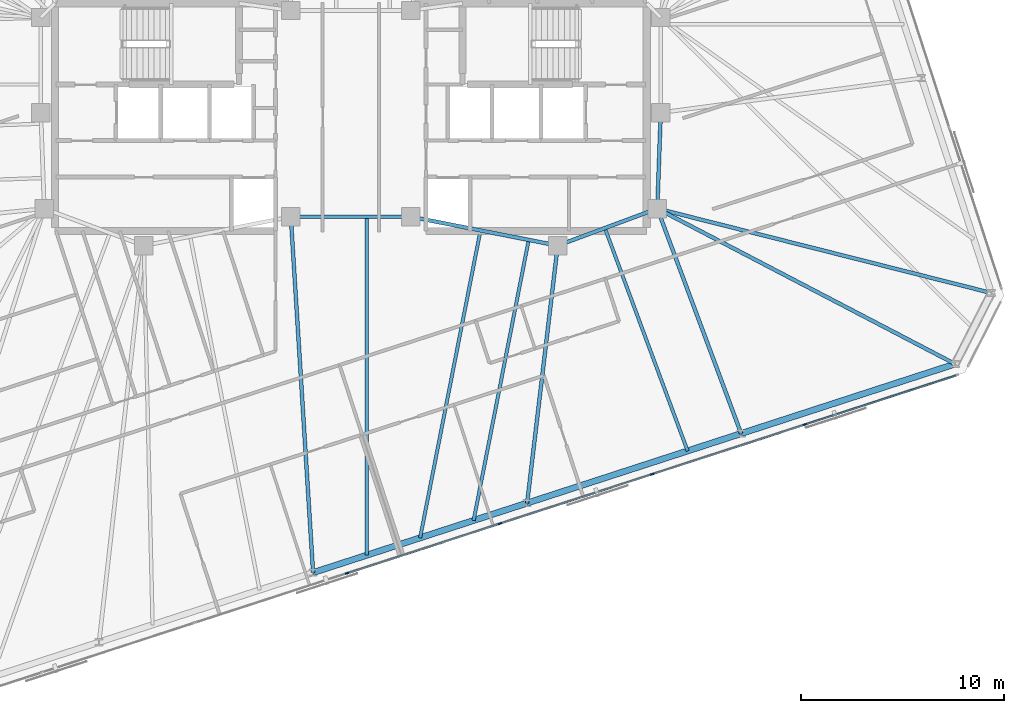
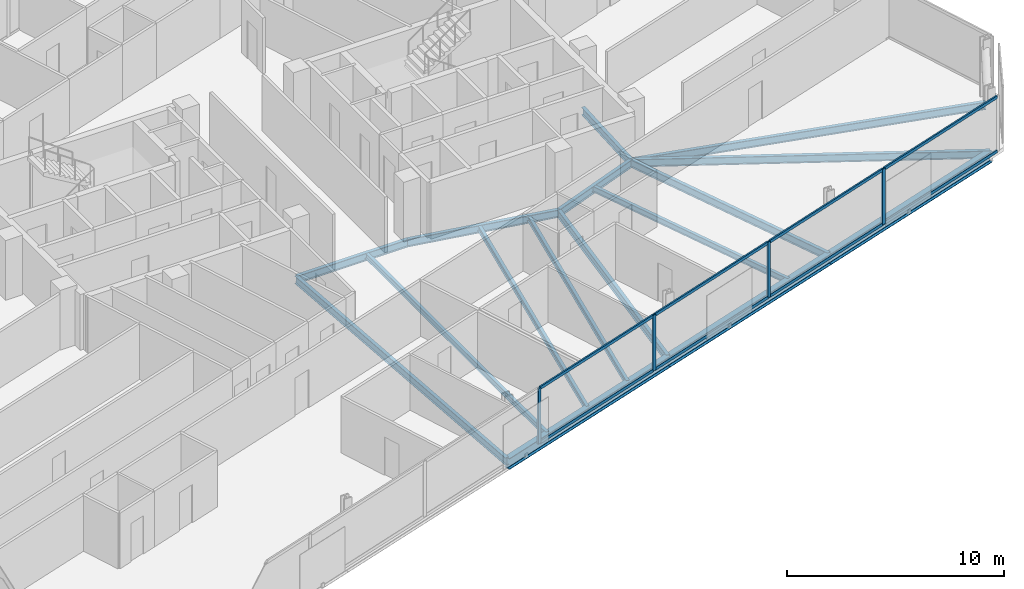
# One storey, part 7 of 20: 16 beams, 12 members, 1 element without a shape of its own.
"""IFC4 building model written with IfcOpenShell, lengths in metres."""

import ifcopenshell
import ifcopenshell.guid

model = None  # the IFC model being written
_history = None  # IfcOwnerHistory: only IFC2X3 demands one
_inside = {}  # id of a spatial element -> (the spatial element, [elements in it])
_under = {}  # id of a project, library or spatial element -> (it, [spatial elements below it])
_declared = {}  # id of a project -> (the project, [libraries it declares])
_typed = {}  # id of a type object -> (the type object, [elements of that type])
_made_of = {}  # id of a material, layer set ... -> (it, [elements and type objects made of it])


def new_model(schema):
    """Start an empty IFC model of exactly this schema.

    Asked for "IFC4X3", IfcOpenShell would pick the latest addendum, in which some entities
    have other attributes; the version numbers below select the first issue.
    IFC2X3 requires an IfcOwnerHistory on every rooted entity: one is made here for all.
    """
    global model, _history
    if schema == "IFC4X3":
        model = ifcopenshell.file(schema_version=(4, 3, 0, 0))
    else:
        model = ifcopenshell.file(schema=schema)
    _inside.clear()
    _under.clear()
    _declared.clear()
    _typed.clear()
    _made_of.clear()
    _history = None
    if model.schema == "IFC2X3":
        org = make("IfcOrganization", Name="unknown")
        user = make(
            "IfcPersonAndOrganization",
            ThePerson=make("IfcPerson", FamilyName="unknown"),
            TheOrganization=org,
        )
        app = make(
            "IfcApplication",
            ApplicationDeveloper=org,
            Version="unknown",
            ApplicationFullName="unknown",
            ApplicationIdentifier="unknown",
        )
        _history = make(
            "IfcOwnerHistory",
            OwningUser=user,
            OwningApplication=app,
            ChangeAction="ADDED",
            CreationDate=0,
        )
    return model


def make(cls, **values):
    """One entity of the class cls with the attributes given. An attribute that is None is left unset."""
    return model.create_entity(
        cls, **{name: value for name, value in values.items() if value is not None}
    )


def rooted(cls, **values):
    """An entity with a GlobalId (a new one), such as an element, a storey or a relation."""
    return make(cls, GlobalId=ifcopenshell.guid.new(), OwnerHistory=_history, **values)


def si_unit(unit_type, name, prefix=None):
    """IfcSIUnit, for example si_unit("LENGTHUNIT", "METRE", prefix="MILLI")."""
    return make("IfcSIUnit", UnitType=unit_type, Prefix=prefix, Name=name)


def assignment(units):
    """IfcUnitAssignment: the units of a project."""
    return None if units is None else make("IfcUnitAssignment", Units=units)


def point(xyz):
    """IfcCartesianPoint."""
    return None if xyz is None else make("IfcCartesianPoint", Coordinates=xyz)


def direction(xyz):
    """IfcDirection."""
    return None if xyz is None else make("IfcDirection", DirectionRatios=xyz)


def frame(location, z_axis=None, x_axis=None):
    """IfcAxis2Placement3D, a coordinate frame: its origin and axes. An axis left out is left unset."""
    return make(
        "IfcAxis2Placement3D",
        Location=point(location),
        Axis=direction(z_axis),
        RefDirection=direction(x_axis),
    )


def frame_2d(location, x_axis=None):
    """IfcAxis2Placement2D, a coordinate frame in the plane: its origin and x axis."""
    return make(
        "IfcAxis2Placement2D", Location=point(location), RefDirection=direction(x_axis)
    )


def origin():
    """The frame at (0, 0, 0) with its axes left unset."""
    return frame((0.0, 0.0, 0.0))


def origin_2d():
    """The frame at (0, 0) in the plane with its x axis left unset."""
    return frame_2d((0.0, 0.0))


def place(relative_to, where):
    """IfcLocalPlacement: puts the frame where relative to a parent placement (None: the world)."""
    return make(
        "IfcLocalPlacement", PlacementRelTo=relative_to, RelativePlacement=where
    )


def context(
    kind, dimensions, precision=None, world=None, true_north=None, identifier=None
):
    """IfcGeometricRepresentationContext, for example the 3D "Model" context."""
    return make(
        "IfcGeometricRepresentationContext",
        ContextIdentifier=identifier,
        ContextType=kind,
        CoordinateSpaceDimension=dimensions,
        Precision=precision,
        WorldCoordinateSystem=world,
        TrueNorth=true_north,
    )


def subcontext(parent, identifier, kind, view, scale=None):
    """IfcGeometricRepresentationSubContext, for example "Body" below "Model"."""
    return make(
        "IfcGeometricRepresentationSubContext",
        ContextIdentifier=identifier,
        ContextType=kind,
        ParentContext=parent,
        TargetScale=scale,
        TargetView=view,
    )


def project(units=None, contexts=None):
    """IfcProject with its units and contexts."""
    return rooted(
        "IfcProject",
        Name="project",
        RepresentationContexts=contexts,
        UnitsInContext=assignment(units),
    )


def spatial(cls, under=None, at=None, **own):
    """A site, building, storey or space (cls), placed at a placement, below another one or the project."""
    s = rooted(cls, ObjectPlacement=at, **own)
    if under is not None:
        _under.setdefault(under.id(), (under, []))[1].append(s)
    return s


def profile(cls, at=None, kind="AREA", **sizes):
    """A parametric profile (cls). Its sizes go by their IFC names, for example OverallWidth=200.0."""
    return make(cls, ProfileType=kind, Position=at, **sizes)


def rectangle(**sizes):
    """IfcRectangleProfileDef."""
    return profile("IfcRectangleProfileDef", **sizes)


def i_section(**sizes):
    """IfcIShapeProfileDef."""
    return profile("IfcIShapeProfileDef", **sizes)


def extrude(swept, where, along, depth):
    """IfcExtrudedAreaSolid: the profile swept, set in the frame where, extruded along a direction by depth."""
    return make(
        "IfcExtrudedAreaSolid",
        SweptArea=swept,
        Position=where,
        ExtrudedDirection=direction(along),
        Depth=depth,
    )


def shape(context_of_items, identifier, shape_type, items):
    """IfcShapeRepresentation: the items that make up one representation, for example the "Body"."""
    return make(
        "IfcShapeRepresentation",
        ContextOfItems=context_of_items,
        RepresentationIdentifier=identifier,
        RepresentationType=shape_type,
        Items=items,
    )


def material(Name=None, Category=None):
    """IfcMaterial."""
    return make("IfcMaterial", Name=Name, Category=Category)


def material_profile(
    of_material, cross_section, Name=None, Category=None, Priority=None
):
    """IfcMaterialProfile: a cross section and its material."""
    return make(
        "IfcMaterialProfile",
        Name=Name,
        Material=of_material,
        Profile=cross_section,
        Priority=Priority,
        Category=Category,
    )


def profile_set(profiles, Name=None, composite=None):
    """IfcMaterialProfileSet."""
    return make(
        "IfcMaterialProfileSet",
        Name=Name,
        MaterialProfiles=profiles,
        CompositeProfile=composite,
    )


def made_of(thing, what):
    """Note that an element or type object is made of a material, layer set ...; save() writes the relation."""
    if what is not None:
        _made_of.setdefault(what.id(), (what, []))[1].append(thing)
    return thing


def type_object(cls, material=None, **own):
    """A type object (cls), such as IfcWallType, which elements share."""
    return made_of(rooted(cls, **own), material)


def element(
    cls,
    number,
    at=None,
    inside=None,
    cuts=None,
    type_object=None,
    material=None,
    context=None,
    identifier="Body",
    shape_type=None,
    held_by="IfcProductDefinitionShape",
    body=None,
    shapes=None,
    **own,
):
    """One element of the class cls, such as IfcWall. Its Tag is "e" and its number.

    at: its placement. inside: the storey or other place that contains it. cuts: it is an
    opening in that element (IfcRelVoidsElement). A single representation is given by context,
    identifier, shape_type and body (its items); several are given by shapes. held_by: the class
    of the entity that holds the representations. save() writes the other relations.
    """
    e = rooted(cls, Tag="e%d" % number, ObjectPlacement=at, **own)
    if body is not None:
        shapes = [shape(context, identifier, shape_type, body)]
    if shapes is not None:
        e.Representation = make(held_by, Representations=shapes)
    if inside is not None:
        _inside.setdefault(inside.id(), (inside, []))[1].append(e)
    if cuts is not None:
        rooted(
            "IfcRelVoidsElement", RelatingBuildingElement=cuts, RelatedOpeningElement=e
        )
    if type_object is not None:
        _typed.setdefault(type_object.id(), (type_object, []))[1].append(e)
    return made_of(e, material)


def aggregate(whole, parts):
    """IfcRelAggregates: a whole, such as a stair, and the parts it consists of."""
    return rooted("IfcRelAggregates", RelatingObject=whole, RelatedObjects=parts)


def save(model, path):
    """Write the relations noted so far, then the file.

    IfcRelAggregates (storeys below a building ...), IfcRelContainedInSpatialStructure (elements
    in a storey), IfcRelDefinesByType, IfcRelAssociatesMaterial and IfcRelDeclares: one each for
    every whole, place, type object, material and project.
    """
    for whole, parts in _under.values():
        aggregate(whole, parts)
    for where, things in _inside.values():
        rooted(
            "IfcRelContainedInSpatialStructure",
            RelatedElements=things,
            RelatingStructure=where,
        )
    for kind, things in _typed.values():
        rooted("IfcRelDefinesByType", RelatedObjects=things, RelatingType=kind)
    for what, things in _made_of.values():
        rooted("IfcRelAssociatesMaterial", RelatedObjects=things, RelatingMaterial=what)
    for by, libraries in _declared.values():
        rooted("IfcRelDeclares", RelatingContext=by, RelatedDefinitions=libraries)
    model.write(path)


model = new_model("IFC4")

# Units and contexts
model_context = context("Model", 3, precision=1e-05, world=origin(), true_north=direction((0.0, 1.0)))
body_context = subcontext(model_context, "Body", "Model", "MODEL_VIEW")
ifc_project = project(units=[si_unit("LENGTHUNIT", "METRE"), si_unit("AREAUNIT", "SQUARE_METRE"), si_unit("VOLUMEUNIT", "CUBIC_METRE"), si_unit("PLANEANGLEUNIT", "RADIAN"), si_unit("MASSUNIT", "GRAM", prefix="KILO")], contexts=[model_context])

# Site, building, storey
site_placement = place(None, origin())
site = spatial("IfcSite", under=ifc_project, at=site_placement, CompositionType="ELEMENT")
building_placement = place(site_placement, origin())
building = spatial("IfcBuilding", under=site, at=building_placement, Name="Menara Jurai Vektor", CompositionType="ELEMENT")
storey_placement = place(building_placement, frame((0.0, 0.0, 224.300048828125)))
storey = spatial("IfcBuildingStorey", under=building, at=storey_placement, Name="L59", CompositionType="ELEMENT", Elevation=224.300048828125)

# Curtain wall, members
ifc_material_1 = material(Name="Anodised Pale Aluminium & Low-E Double Glazing", Category="aluminium")
curtain_wall_type = type_object("IfcCurtainWallType", Name="CW-BLK4", PredefinedType="NOTDEFINED", material=ifc_material_1)
curtain_wall_placement = place(storey_placement, origin())
curtain_wall = element("IfcCurtainWall", 1, at=curtain_wall_placement, inside=storey, type_object=curtain_wall_type, Name="Unitised Curtain Wall L59 F01", PredefinedType="NOTDEFINED")
ifc_material_2 = material(Name="Anodised Pale Aluminium Mullion", Category="aluminium")
ifc_material_profile_1 = material_profile(ifc_material_2, rectangle(XDim=0.080078125, YDim=0.18994140625, at=origin_2d()), Name="ALU MUL 80x190")
ifc_profile_set_1 = profile_set([ifc_material_profile_1], Name="Anodised Pale Aluminium Mullion")
member_type_1 = type_object("IfcMemberType", Name="CW-BLK4-MUL", PredefinedType="MULLION", material=ifc_profile_set_1)
member_1_placement = place(storey_placement, frame((-0.17236328125, -22.4404296875, 0.0), z_axis=(0.0, 0.0, 1.0), x_axis=(-0.309017344167, 0.951056402641, 0.0)))
member_1 = element("IfcMember", 2, at=member_1_placement, type_object=member_type_1, Name="CW-04 mullion 4", PredefinedType="MULLION", context=body_context, shape_type="SweptSolid", body=[
    extrude(rectangle(XDim=0.080078125, YDim=0.18994140625, at=origin_2d()), origin(), (0.0, 0.0, 1.0), 3.125),
])
member_2_placement = place(storey_placement, frame((7.3330078125, -20.001953125, 0.0), z_axis=(0.0, 0.0, 1.0), x_axis=(-0.309017344167, 0.951056402641, 0.0)))
member_2 = element("IfcMember", 3, at=member_2_placement, type_object=member_type_1, Name="CW-04 mullion 5", PredefinedType="MULLION", context=body_context, shape_type="SweptSolid", body=[
    extrude(rectangle(XDim=0.080078125, YDim=0.18994140625, at=origin_2d()), origin(), (0.0, 0.0, 1.0), 3.125),
])
member_3_placement = place(storey_placement, frame((14.838134765625, -17.563232421875, 0.0), z_axis=(0.0, 0.0, 1.0), x_axis=(-0.309017344167, 0.951056402641, 0.0)))
member_3 = element("IfcMember", 4, at=member_3_placement, type_object=member_type_1, Name="CW-04 mullion 6", PredefinedType="MULLION", context=body_context, shape_type="SweptSolid", body=[
    extrude(rectangle(XDim=0.080078125, YDim=0.18994140625, at=origin_2d()), origin(), (0.0, 0.0, 1.0), 3.125),
])
member_4_placement = place(storey_placement, frame((22.34326171875, -15.124755859375, 0.0), z_axis=(0.0, 0.0, 1.0), x_axis=(-0.309017344167, 0.951056402641, 0.0)))
member_4 = element("IfcMember", 5, at=member_4_placement, type_object=member_type_1, Name="CW-04 mullion 7", PredefinedType="MULLION", context=body_context, shape_type="SweptSolid", body=[
    extrude(rectangle(XDim=0.080078125, YDim=0.18994140625, at=origin_2d()), origin(), (0.0, 0.0, 1.0), 3.125),
])
ifc_material_3 = material(Name="Anodised Pale Aluminium Transom", Category="aluminium")
ifc_material_profile_2 = material_profile(ifc_material_3, rectangle(XDim=0.080078125, YDim=0.1650390625, at=origin_2d()), Name="ALU TRN 80x165")
ifc_profile_set_2 = profile_set([ifc_material_profile_2], Name="Anodised Pale Aluminium Transom")
member_type_2 = type_object("IfcMemberType", Name="CW-BLK4-TRN", PredefinedType="USERDEFINED", material=ifc_profile_set_2)
member_5_placement = place(storey_placement, frame((-0.13427734375, -22.427978515625, 0.0400390625), z_axis=(0.951059330237, 0.309008333817, 0.0), x_axis=(-0.309008333817, 0.951059330237, 0.0)))
member_5 = element("IfcMember", 6, at=member_5_placement, type_object=member_type_2, Name="CW-04 transom 4.1", ObjectType="TRANSOM", PredefinedType="USERDEFINED", context=body_context, shape_type="SweptSolid", body=[
    extrude(rectangle(XDim=0.080078125, YDim=0.1650390625, at=origin_2d()), origin(), (0.0, 0.0, 1.0), 7.8115234375),
])
member_6_placement = place(storey_placement, frame((-0.13427734375, -22.427978515625, 3.0849609375), z_axis=(0.951059330237, 0.309008333817, 0.0), x_axis=(-0.309008333817, 0.951059330237, 0.0)))
member_6 = element("IfcMember", 7, at=member_6_placement, type_object=member_type_2, Name="CW-04 transom 4.2", ObjectType="TRANSOM", PredefinedType="USERDEFINED", context=body_context, shape_type="SweptSolid", body=[
    extrude(rectangle(XDim=0.080078125, YDim=0.1650390625, at=origin_2d()), origin(), (0.0, 0.0, 1.0), 7.8115234375),
])
member_7_placement = place(storey_placement, frame((7.37109375, -19.989501953125, 0.0400390625), z_axis=(0.95105634578, 0.309017519167, 0.0), x_axis=(-0.309017519167, 0.95105634578, 0.0)))
member_7 = element("IfcMember", 8, at=member_7_placement, type_object=member_type_2, Name="CW-04 transom 5.1", ObjectType="TRANSOM", PredefinedType="USERDEFINED", context=body_context, shape_type="SweptSolid", body=[
    extrude(rectangle(XDim=0.080078125, YDim=0.1650390625, at=origin_2d()), origin(), (0.0, 0.0, 1.0), 7.811279296875),
])
member_8_placement = place(storey_placement, frame((7.37109375, -19.989501953125, 3.0849609375), z_axis=(0.95105634578, 0.309017519167, 0.0), x_axis=(-0.309017519167, 0.95105634578, 0.0)))
member_8 = element("IfcMember", 9, at=member_8_placement, type_object=member_type_2, Name="CW-04 transom 5.2", ObjectType="TRANSOM", PredefinedType="USERDEFINED", context=body_context, shape_type="SweptSolid", body=[
    extrude(rectangle(XDim=0.080078125, YDim=0.1650390625, at=origin_2d()), origin(), (0.0, 0.0, 1.0), 7.811279296875),
])
member_9_placement = place(storey_placement, frame((14.876220703125, -17.551025390625, 0.0400390625), z_axis=(0.95104715984, 0.309045789099, 0.0), x_axis=(-0.309045789099, 0.95104715984, 0.0)))
member_9 = element("IfcMember", 10, at=member_9_placement, type_object=member_type_2, Name="CW-04 transom 6.1", ObjectType="TRANSOM", PredefinedType="USERDEFINED", context=body_context, shape_type="SweptSolid", body=[
    extrude(rectangle(XDim=0.080078125, YDim=0.1650390625, at=origin_2d()), origin(), (0.0, 0.0, 1.0), 7.811279296875),
])
member_10_placement = place(storey_placement, frame((14.876220703125, -17.551025390625, 3.0849609375), z_axis=(0.95104715984, 0.309045789099, 0.0), x_axis=(-0.309045789099, 0.95104715984, 0.0)))
member_10 = element("IfcMember", 11, at=member_10_placement, type_object=member_type_2, Name="CW-04 transom 6.2", ObjectType="TRANSOM", PredefinedType="USERDEFINED", context=body_context, shape_type="SweptSolid", body=[
    extrude(rectangle(XDim=0.080078125, YDim=0.1650390625, at=origin_2d()), origin(), (0.0, 0.0, 1.0), 7.811279296875),
])
member_11_placement = place(storey_placement, frame((22.38134765625, -15.1123046875, 0.0400390625), z_axis=(0.951062230089, 0.308999408573, 0.0), x_axis=(-0.308999408573, 0.951062230089, 0.0)))
member_11 = element("IfcMember", 12, at=member_11_placement, type_object=member_type_2, Name="CW-04 transom 7.1", ObjectType="TRANSOM", PredefinedType="USERDEFINED", context=body_context, shape_type="SweptSolid", body=[
    extrude(rectangle(XDim=0.080078125, YDim=0.1650390625, at=origin_2d()), origin(), (0.0, 0.0, 1.0), 7.771484375),
])
member_12_placement = place(storey_placement, frame((22.38134765625, -15.1123046875, 3.0849609375), z_axis=(0.951062230089, 0.308999408573, 0.0), x_axis=(-0.308999408573, 0.951062230089, 0.0)))
member_12 = element("IfcMember", 13, at=member_12_placement, type_object=member_type_2, Name="CW-04 transom 7.2", ObjectType="TRANSOM", PredefinedType="USERDEFINED", context=body_context, shape_type="SweptSolid", body=[
    extrude(rectangle(XDim=0.080078125, YDim=0.1650390625, at=origin_2d()), origin(), (0.0, 0.0, 1.0), 7.771484375),
])
aggregate(curtain_wall, [member_1, member_2, member_3, member_4, member_5, member_6, member_7, member_8, member_9, member_10, member_11, member_12])

# Beams
ifc_material_4 = material(Name="Steel S355", Category="steel")
ifc_material_profile_3 = material_profile(ifc_material_4, i_section(OverallWidth=0.18505859375, OverallDepth=0.429931640625, WebThickness=0.010986328125, FlangeThickness=0.01806640625, at=origin_2d()), Name="PG 430x185x76")
ifc_profile_set_3 = profile_set([ifc_material_profile_3], Name="Steel S355")
beam_type_1 = type_object("IfcBeamType", Name="STR-BM-430", PredefinedType="BEAM", material=ifc_profile_set_3)
beam_1_placement = place(storey_placement, frame((15.080078125, -4.5, -0.43994140625), z_axis=(0.035977314146, 0.999352606874, 0.0), x_axis=(-0.999352606874, 0.035977314146, 0.0)))
element("IfcBeam", 14, at=beam_1_placement, inside=storey, type_object=beam_type_1, Name="Core Ring Header Girder L59-CHE-E2", PredefinedType="BEAM", context=body_context, shape_type="SweptSolid", body=[
    extrude(i_section(OverallWidth=0.18505859375, OverallDepth=0.429931640625, WebThickness=0.010986328125, FlangeThickness=0.01806640625, at=origin_2d()), origin(), (0.0, 0.0, 1.0), 4.72314453125),
])
beam_2_placement = place(storey_placement, frame((10.179931640625, -6.320068359375, -0.43994140625), z_axis=(0.937424400887, 0.348188874925, 0.0), x_axis=(-0.348188874925, 0.937424400887, 0.0)))
element("IfcBeam", 15, at=beam_2_placement, inside=storey, type_object=beam_type_1, Name="Core Ring Header Girder L59-CHE-S1", PredefinedType="BEAM", context=body_context, shape_type="SweptSolid", body=[
    extrude(i_section(OverallWidth=0.18505859375, OverallDepth=0.429931640625, WebThickness=0.010986328125, FlangeThickness=0.01806640625, at=origin_2d()), origin(), (0.0, 0.0, 1.0), 5.227294921875),
])
beam_3_placement = place(storey_placement, frame((2.949951171875, -4.89990234375, -0.43994140625), z_axis=(0.981249044334, -0.192744164614, 0.0), x_axis=(0.192744164614, 0.981249044334, 0.0)))
element("IfcBeam", 16, at=beam_3_placement, inside=storey, type_object=beam_type_1, Name="Core Ring Header Girder L59-CHE-S2", PredefinedType="BEAM", context=body_context, shape_type="SweptSolid", body=[
    extrude(i_section(OverallWidth=0.18505859375, OverallDepth=0.429931640625, WebThickness=0.010986328125, FlangeThickness=0.01806640625, at=origin_2d()), origin(), (0.0, 0.0, 1.0), 7.3681640625),
])
beam_4_placement = place(storey_placement, frame((-2.949951171875, -4.89990234375, -0.43994140625), z_axis=(1.0, 0.0, 0.0), x_axis=(0.0, 1.0, 0.0)))
element("IfcBeam", 17, at=beam_4_placement, inside=storey, type_object=beam_type_1, Name="Core Ring Header Girder L59-CC-1", PredefinedType="BEAM", context=body_context, shape_type="SweptSolid", body=[
    extrude(i_section(OverallWidth=0.18505859375, OverallDepth=0.429931640625, WebThickness=0.010986328125, FlangeThickness=0.01806640625, at=origin_2d()), origin(), (0.0, 0.0, 1.0), 5.89990234375),
])
beam_5_placement = place(storey_placement, frame((-1.854248046875, -22.40869140625, -0.43994140625), z_axis=(-0.062457995419, 0.998047593458, 0.0), x_axis=(-0.998047593458, -0.062457995419, 0.0)))
element("IfcBeam", 18, at=beam_5_placement, inside=storey, type_object=beam_type_1, Name="Radial Floor Girder L59-S3", PredefinedType="BEAM", context=body_context, shape_type="SweptSolid", body=[
    extrude(i_section(OverallWidth=0.18505859375, OverallDepth=0.429931640625, WebThickness=0.010986328125, FlangeThickness=0.01806640625, at=origin_2d()), origin(), (0.0, 0.0, 1.0), 17.54296875),
])
beam_6_placement = place(storey_placement, frame((8.675048828125, -18.987548828125, -0.43994140625), z_axis=(0.117969360513, 0.99301723549, 0.0), x_axis=(-0.99301723549, 0.117969360513, 0.0)))
element("IfcBeam", 19, at=beam_6_placement, inside=storey, type_object=beam_type_1, Name="Radial Floor Girder L59-S4", PredefinedType="BEAM", context=body_context, shape_type="SweptSolid", body=[
    extrude(i_section(OverallWidth=0.18505859375, OverallDepth=0.429931640625, WebThickness=0.010986328125, FlangeThickness=0.01806640625, at=origin_2d()), origin(), (0.0, 0.0, 1.0), 12.756591796875),
])
beam_7_placement = place(storey_placement, frame((19.204345703125, -15.56640625, -0.43994140625), z_axis=(-0.349219718154, 0.93704086808, 0.0), x_axis=(-0.93704086808, -0.349219718154, 0.0)))
element("IfcBeam", 20, at=beam_7_placement, inside=storey, type_object=beam_type_1, Name="Radial Floor Girder L59-S5", PredefinedType="BEAM", context=body_context, shape_type="SweptSolid", body=[
    extrude(i_section(OverallWidth=0.18505859375, OverallDepth=0.429931640625, WebThickness=0.010986328125, FlangeThickness=0.01806640625, at=origin_2d()), origin(), (0.0, 0.0, 1.0), 11.81005859375),
])
beam_8_placement = place(storey_placement, frame((29.7333984375, -12.14501953125, -0.43994140625), z_axis=(-0.886589587068, 0.462556919851, 0.0), x_axis=(-0.462556919851, -0.886589587068, 0.0)))
element("IfcBeam", 21, at=beam_8_placement, inside=storey, type_object=beam_type_1, Name="Radial Floor Girder L59-S6", PredefinedType="BEAM", context=body_context, shape_type="SweptSolid", body=[
    extrude(i_section(OverallWidth=0.18505859375, OverallDepth=0.429931640625, WebThickness=0.010986328125, FlangeThickness=0.01806640625, at=origin_2d()), origin(), (0.0, 0.0, 1.0), 16.52783203125),
])
beam_9_placement = place(storey_placement, frame((31.513427734375, -8.652099609375, -0.43994140625), z_axis=(-0.969531956771, 0.244964864418, 0.0), x_axis=(-0.244964864418, -0.969531956771, 0.0)))
element("IfcBeam", 22, at=beam_9_placement, inside=storey, type_object=beam_type_1, Name="Radial Floor Girder L59-E1", PredefinedType="BEAM", context=body_context, shape_type="SweptSolid", body=[
    extrude(i_section(OverallWidth=0.18505859375, OverallDepth=0.429931640625, WebThickness=0.010986328125, FlangeThickness=0.01806640625, at=origin_2d()), origin(), (0.0, 0.0, 1.0), 16.94970703125),
])
ifc_material_profile_4 = material_profile(ifc_material_4, i_section(OverallWidth=0.1650390625, OverallDepth=0.330078125, WebThickness=0.009033203125, FlangeThickness=0.013916015625, at=origin_2d()), Name="PG 330x165x46")
ifc_profile_set_4 = profile_set([ifc_material_profile_4], Name="Steel S355")
beam_type_2 = type_object("IfcBeamType", Name="STR-JS-330", PredefinedType="JOIST", material=ifc_profile_set_4)
beam_10_placement = place(storey_placement, frame((0.778076171875, -21.55322265625, -0.39013671875), z_axis=(0.0, 1.0, 0.0), x_axis=(-1.0, 0.0, 0.0)))
element("IfcBeam", 23, at=beam_10_placement, inside=storey, type_object=beam_type_2, Name="Radial Secondary Floor Joist L59-JS05", PredefinedType="JOIST", context=body_context, shape_type="SweptSolid", body=[
    extrude(i_section(OverallWidth=0.1650390625, OverallDepth=0.330078125, WebThickness=0.009033203125, FlangeThickness=0.013916015625, at=origin_2d()), origin(), (0.0, 0.0, 1.0), 16.6533203125),
])
beam_11_placement = place(storey_placement, frame((3.410400390625, -20.697998046875, -0.39013671875), z_axis=(0.192721610081, 0.981253474393, 0.0), x_axis=(-0.981253474393, 0.192721610081, 0.0)))
element("IfcBeam", 24, at=beam_11_placement, inside=storey, type_object=beam_type_2, Name="Radial Secondary Floor Joist L59-JS06", PredefinedType="JOIST", context=body_context, shape_type="SweptSolid", body=[
    extrude(i_section(OverallWidth=0.1650390625, OverallDepth=0.330078125, WebThickness=0.009033203125, FlangeThickness=0.013916015625, at=origin_2d()), origin(), (0.0, 0.0, 1.0), 15.413330078125),
])
beam_12_placement = place(storey_placement, frame((6.042724609375, -19.8427734375, -0.39013671875), z_axis=(0.192720535629, 0.981253685418, 0.0), x_axis=(-0.981253685418, 0.192720535629, 0.0)))
element("IfcBeam", 25, at=beam_12_placement, inside=storey, type_object=beam_type_2, Name="Radial Secondary Floor Joist L59-JS07", PredefinedType="JOIST", context=body_context, shape_type="SweptSolid", body=[
    extrude(i_section(OverallWidth=0.1650390625, OverallDepth=0.330078125, WebThickness=0.009033203125, FlangeThickness=0.013916015625, at=origin_2d()), origin(), (0.0, 0.0, 1.0), 14.066650390625),
])
beam_13_placement = place(storey_placement, frame((16.572021484375, -16.421630859375, -0.39013671875), z_axis=(-0.348179715909, 0.937427802782, 0.0), x_axis=(-0.937427802782, -0.348179715909, 0.0)))
element("IfcBeam", 26, at=beam_13_placement, inside=storey, type_object=beam_type_2, Name="Radial Secondary Floor Joist L59-JS08", PredefinedType="JOIST", context=body_context, shape_type="SweptSolid", body=[
    extrude(i_section(OverallWidth=0.1650390625, OverallDepth=0.330078125, WebThickness=0.009033203125, FlangeThickness=0.013916015625, at=origin_2d()), origin(), (0.0, 0.0, 1.0), 11.695068359375),
])
ifc_material_profile_5 = material_profile(ifc_material_4, i_section(OverallWidth=0.306884765625, OverallDepth=0.6201171875, WebThickness=0.013916015625, FlangeThickness=0.02392578125, FilletRadius=0.01708984375, at=origin_2d()), Name="UKB 610x305x179")
ifc_profile_set_5 = profile_set([ifc_material_profile_5], Name="Steel S355")
beam_type_3 = type_object("IfcBeamType", Name="STR-SP-610", PredefinedType="SPANDREL", material=ifc_profile_set_5)
for number, where, z_axis, x_axis, name in (
    (27, (-1.854248046875, -22.40869140625, -0.53515625), (0.951057401967, 0.309014268544, 0.0), (-0.309014268544, 0.951057401967, 0.0), "Exoskeleton Spandrel Beam L59-03"),
    (28, (8.675048828125, -18.987548828125, -0.53515625), (0.951057401967, 0.309014268544, 0.0), (-0.309014268544, 0.951057401967, 0.0), "Exoskeleton Spandrel Beam L59-04"),
    (29, (19.204345703125, -15.56640625, -0.53515625), (0.951048814879, 0.309040695892, 0.0), (-0.309040695892, 0.951048814879, 0.0), "Exoskeleton Spandrel Beam L59-05"),
):
    element("IfcBeam", number, at=place(storey_placement, frame(where, z_axis=z_axis, x_axis=x_axis)), inside=storey, type_object=beam_type_3, Name=name, PredefinedType="SPANDREL", context=body_context, shape_type="SweptSolid", body=[
        extrude(i_section(OverallWidth=0.306884765625, OverallDepth=0.6201171875, WebThickness=0.013916015625, FlangeThickness=0.02392578125, FilletRadius=0.01708984375, at=origin_2d()), origin(), (0.0, 0.0, 1.0), 11.071044921875),
    ])

save(model, "model.ifc")
